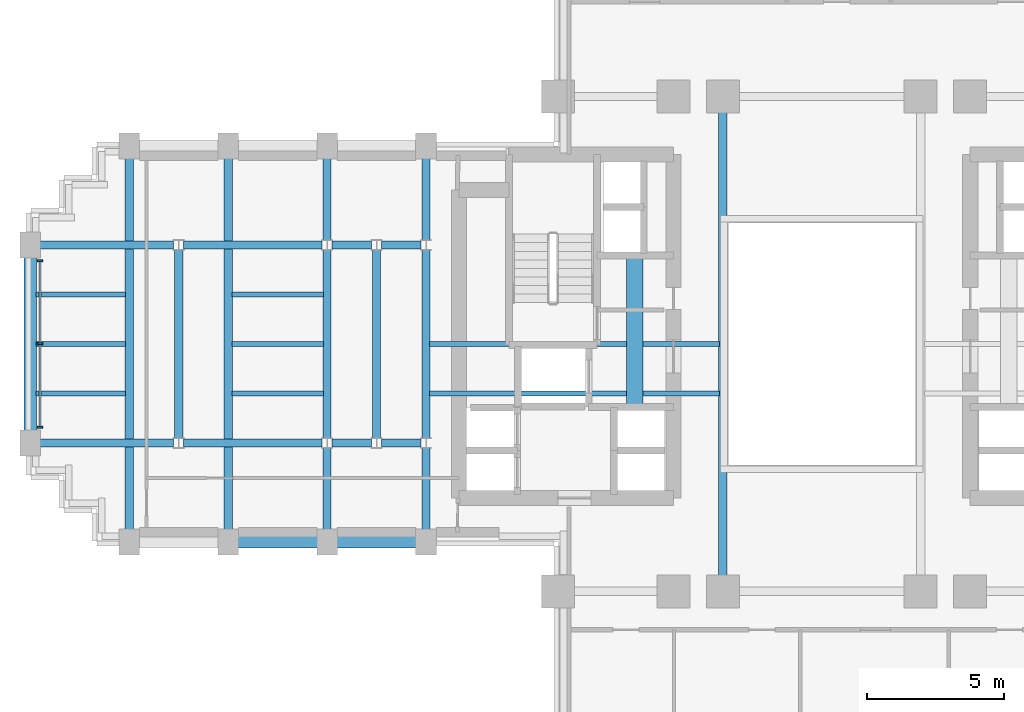
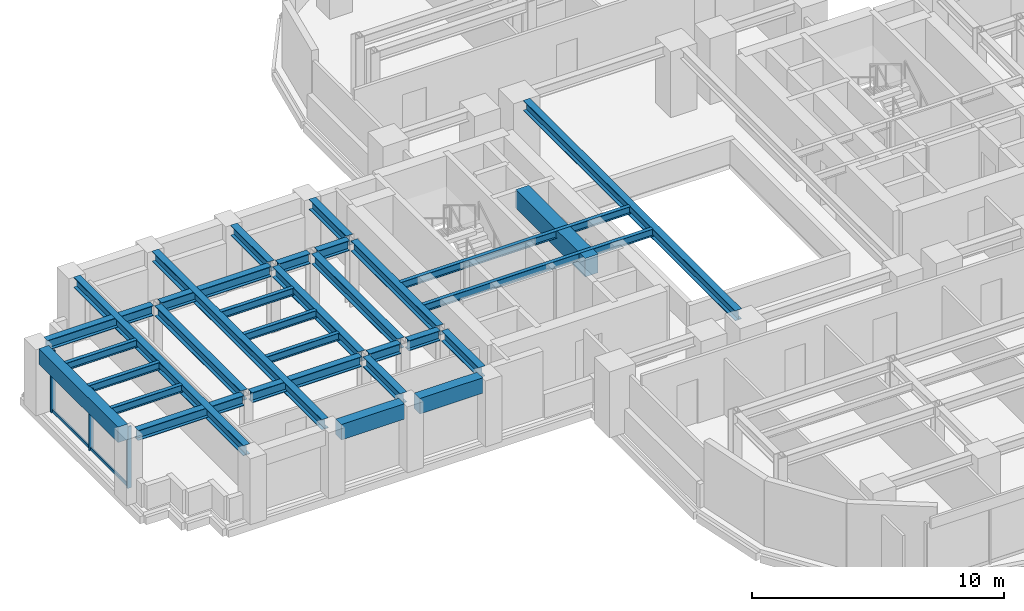
# One storey, part 4 of 16: 31 beams, 5 members, 1 element without a shape of its own.
"""IFC4 building model written with IfcOpenShell, lengths in metres."""

from ifc_helpers import new_model, si_unit, direction, frame, origin, origin_2d, place, context, subcontext, project, spatial, rectangle, i_section, extrude, source, transform, mapped, material, material_profile, profile_set, type_object, element, aggregate, save


model = new_model("IFC4")

# Units and contexts
model_context = context("Model", 3, precision=1e-05, world=origin(), true_north=direction((0.0, 1.0)))
body_context = subcontext(model_context, "Body", "Model", "MODEL_VIEW")
ifc_project = project(units=[si_unit("LENGTHUNIT", "METRE"), si_unit("AREAUNIT", "SQUARE_METRE"), si_unit("VOLUMEUNIT", "CUBIC_METRE"), si_unit("PLANEANGLEUNIT", "RADIAN"), si_unit("MASSUNIT", "GRAM", prefix="KILO")], contexts=[model_context])

# Site, building, storey
site_placement = place(None, origin())
site = spatial("IfcSite", under=ifc_project, at=site_placement, CompositionType="ELEMENT")
building_placement = place(site_placement, origin())
building = spatial("IfcBuilding", under=site, at=building_placement, Name="Keilestroom Media Tower", CompositionType="ELEMENT")
storey_placement = place(building_placement, frame((0.0, 0.0, 74.800048828125)))
storey = spatial("IfcBuildingStorey", under=building, at=storey_placement, Name="L19", CompositionType="ELEMENT", Elevation=74.800048828125)

# Beams
ifc_material_1 = material(Name="Concrete C70/85", Category="concrete")
ifc_material_profile_1 = material_profile(ifc_material_1, rectangle(XDim=0.60009765625, YDim=0.89990234375, at=origin_2d()), Name="RC 600x900")
ifc_profile_set_1 = profile_set([ifc_material_profile_1], Name="Concrete C70/85")
beam_type_1 = type_object("IfcBeamType", Name="Core-Coupling-Lintel-Beam-RC-600x900", PredefinedType="LINTEL", material=ifc_profile_set_1)
shared_shape_1 = source(origin(), body_context, "Body", "SweptSolid", [
    extrude(rectangle(XDim=0.60009765625, YDim=0.89990234375, at=origin_2d()), origin(), (0.0, 0.0, 1.0), 5.52001953125),
])
beam_1_placement = place(storey_placement, frame((-6.800048828125, -2.300048828125, 2.75), z_axis=(0.0, 1.0, 0.0), x_axis=(-1.0, 0.0, 0.0)))
element("IfcBeam", 1, at=beam_1_placement, inside=storey, type_object=beam_type_1, Name="L19 Beam CLB-1 CLB-L19-W", PredefinedType="LINTEL", context=body_context, shape_type="MappedRepresentation", body=[
    mapped(shared_shape_1, transform((0.0, 0.0, 0.0), x_axis=(1.0, 0.0, 0.0), y_axis=(0.0, 1.0, 0.0), z_axis=(0.0, 0.0, 1.0), scale=1.0)),
])
ifc_material_2 = material(Name="Precast concrete C40/50", Category="concrete")
ifc_material_profile_2 = material_profile(ifc_material_2, rectangle(XDim=0.449951171875, YDim=0.75, at=origin_2d()), Name="PC 450x750")
ifc_profile_set_2 = profile_set([ifc_material_profile_2], Name="Precast concrete C40/50")
beam_type_2 = type_object("IfcBeamType", Name="Perimeter-Spandrel-Beam-PC-450x750", PredefinedType="SPANDREL", material=ifc_profile_set_2)
shared_shape_2 = source(origin(), body_context, "Body", "SweptSolid", [
    extrude(rectangle(XDim=0.449951171875, YDim=0.75, at=origin_2d()), origin(), (0.0, 0.0, 1.0), 6.2900390625),
])
beam_2_placement = place(storey_placement, frame((-28.800048828125, -3.14501953125, 2.824951171875), z_axis=(0.0, 1.0, 0.0), x_axis=(-1.0, 0.0, 0.0)))
element("IfcBeam", 2, at=beam_2_placement, inside=storey, type_object=beam_type_2, Name="L19 Beam SPB-1 BM-L19-NS-051", PredefinedType="SPANDREL", context=body_context, shape_type="MappedRepresentation", body=[
    mapped(shared_shape_2, transform((0.0, 0.0, 0.0), x_axis=(1.0, 0.0, 0.0), y_axis=(0.0, 1.0, 0.0), z_axis=(0.0, 0.0, 1.0), scale=1.0)),
])
shared_shape_3 = source(origin(), body_context, "Body", "SweptSolid", [
    extrude(rectangle(XDim=0.449951171875, YDim=0.75, at=origin_2d()), origin(), (0.0, 0.0, 1.0), 2.89013671875),
])
for number, where, z_axis, x_axis, name in (
    (3, (-21.2451171875, -7.199951171875, 2.824951171875), (1.0, 0.0, 0.0), (0.0, 1.0, 0.0), "L19 Beam SPB-1 BM-L19-EW-013"),
    (4, (-17.64501953125, -7.199951171875, 2.824951171875), (1.0, 0.0, 0.0), (0.0, 1.0, 0.0), "L19 Beam SPB-1 BM-L19-EW-014"),
):
    element("IfcBeam", number, at=place(storey_placement, frame(where, z_axis=z_axis, x_axis=x_axis)), inside=storey, type_object=beam_type_2, Name=name, PredefinedType="SPANDREL", context=body_context, shape_type="MappedRepresentation", body=[
        mapped(shared_shape_3, transform((0.0, 0.0, 0.0), x_axis=(1.0, 0.0, 0.0), y_axis=(0.0, 1.0, 0.0), z_axis=(0.0, 0.0, 1.0), scale=1.0)),
    ])
ifc_material_3 = material(Name="Steel S355", Category="steel")
ifc_material_profile_3 = material_profile(ifc_material_3, i_section(OverallWidth=0.300048828125, OverallDepth=0.5, WebThickness=0.012451171875, FlangeThickness=0.028076171875, at=origin_2d()), Name="HEB 500")
ifc_profile_set_3 = profile_set([ifc_material_profile_3], Name="Steel S355")
beam_type_3 = type_object("IfcBeamType", Name="Primary-Structural-Girder-HEB-500", PredefinedType="BEAM", material=ifc_profile_set_3)
shared_shape_4 = source(origin(), body_context, "Body", "SweptSolid", [
    extrude(i_section(OverallWidth=0.300048828125, OverallDepth=0.5, WebThickness=0.012451171875, FlangeThickness=0.028076171875, at=origin_2d()), origin(), (0.0, 0.0, 1.0), 13.490234375),
])
for number, where, z_axis, x_axis, name in (
    (5, (-25.199951171875, -6.7451171875, 2.949951171875), (0.0, 1.0, 0.0), (-1.0, 0.0, 0.0), "L19 Beam BG-6 BM-L19-NS-052"),
    (6, (-21.60009765625, -6.7451171875, 2.949951171875), (0.0, 1.0, 0.0), (-1.0, 0.0, 0.0), "L19 Beam BG-6 BM-L19-NS-054"),
):
    element("IfcBeam", number, at=place(storey_placement, frame(where, z_axis=z_axis, x_axis=x_axis)), inside=storey, type_object=beam_type_3, Name=name, PredefinedType="BEAM", context=body_context, shape_type="MappedRepresentation", body=[
        mapped(shared_shape_4, transform((0.0, 0.0, 0.0), x_axis=(1.0, 0.0, 0.0), y_axis=(0.0, 1.0, 0.0), z_axis=(0.0, 0.0, 1.0), scale=1.0)),
    ])
shared_shape_5 = source(origin(), body_context, "Body", "SweptSolid", [
    extrude(i_section(OverallWidth=0.300048828125, OverallDepth=0.5, WebThickness=0.012451171875, FlangeThickness=0.028076171875, at=origin_2d()), origin(), (0.0, 0.0, 1.0), 6.8330078125),
])
for number, where, z_axis, x_axis, name in (
    (7, (-23.39990234375, -3.41650390625, 2.949951171875), (0.0, 1.0, 0.0), (-1.0, 0.0, 0.0), "L19 Beam BG-6 BM-L19-NS-053"),
    (8, (-18.0, -3.41650390625, 2.949951171875), (0.0, 1.0, 0.0), (-1.0, 0.0, 0.0), "L19 Beam BG-6 BM-L19-NS-056"),
    (9, (-16.199951171875, -3.41650390625, 2.949951171875), (0.0, 1.0, 0.0), (-1.0, 0.0, 0.0), "L19 Beam BG-6 BM-L19-NS-058"),
    (10, (-14.39990234375, -3.41650390625, 2.949951171875), (0.0, 1.0, 0.0), (-1.0, 0.0, 0.0), "L19 Beam BG-6 BM-L19-NS-060"),
):
    element("IfcBeam", number, at=place(storey_placement, frame(where, z_axis=z_axis, x_axis=x_axis)), inside=storey, type_object=beam_type_3, Name=name, PredefinedType="BEAM", context=body_context, shape_type="MappedRepresentation", body=[
        mapped(shared_shape_5, transform((0.0, 0.0, 0.0), x_axis=(1.0, 0.0, 0.0), y_axis=(0.0, 1.0, 0.0), z_axis=(0.0, 0.0, 1.0), scale=1.0)),
    ])
shared_shape_6 = source(origin(), body_context, "Body", "SweptSolid", [
    extrude(i_section(OverallWidth=0.300048828125, OverallDepth=0.5, WebThickness=0.012451171875, FlangeThickness=0.028076171875, at=origin_2d()), origin(), (0.0, 0.0, 1.0), 2.961669921875),
])
for number, where, z_axis, x_axis, name in (
    (11, (-18.0, -6.7451171875, 2.949951171875), (0.0, 1.0, 0.0), (-1.0, 0.0, 0.0), "L19 Beam BG-6 BM-L19-NS-055"),
    (12, (-18.0, 3.783447265625, 2.949951171875), (0.0, 1.0, 0.0), (-1.0, 0.0, 0.0), "L19 Beam BG-6 BM-L19-NS-057"),
    (13, (-14.39990234375, -6.7451171875, 2.949951171875), (0.0, 1.0, 0.0), (-1.0, 0.0, 0.0), "L19 Beam BG-6 BM-L19-NS-059"),
    (14, (-14.39990234375, 3.783447265625, 2.949951171875), (0.0, 1.0, 0.0), (-1.0, 0.0, 0.0), "L19 Beam BG-6 BM-L19-NS-061"),
):
    element("IfcBeam", number, at=place(storey_placement, frame(where, z_axis=z_axis, x_axis=x_axis)), inside=storey, type_object=beam_type_3, Name=name, PredefinedType="BEAM", context=body_context, shape_type="MappedRepresentation", body=[
        mapped(shared_shape_6, transform((0.0, 0.0, 0.0), x_axis=(1.0, 0.0, 0.0), y_axis=(0.0, 1.0, 0.0), z_axis=(0.0, 0.0, 1.0), scale=1.0)),
    ])
shared_shape_7 = source(origin(), body_context, "Body", "SweptSolid", [
    extrude(i_section(OverallWidth=0.300048828125, OverallDepth=0.5, WebThickness=0.012451171875, FlangeThickness=0.028076171875, at=origin_2d()), origin(), (0.0, 0.0, 1.0), 16.83984375),
])
beam_3_placement = place(storey_placement, frame((-3.60009765625, -8.419921875, 2.949951171875), z_axis=(0.0, 1.0, 0.0), x_axis=(-1.0, 0.0, 0.0)))
element("IfcBeam", 15, at=beam_3_placement, inside=storey, type_object=beam_type_3, Name="L19 Beam BG-6 BM-L19-NS-066", PredefinedType="BEAM", context=body_context, shape_type="MappedRepresentation", body=[
    mapped(shared_shape_7, transform((0.0, 0.0, 0.0), x_axis=(1.0, 0.0, 0.0), y_axis=(0.0, 1.0, 0.0), z_axis=(0.0, 0.0, 1.0), scale=1.0)),
])
ifc_material_profile_4 = material_profile(ifc_material_3, i_section(OverallWidth=0.300048828125, OverallDepth=0.489990234375, WebThickness=0.011962890625, FlangeThickness=0.02294921875, at=origin_2d()), Name="HEA 500")
ifc_profile_set_4 = profile_set([ifc_material_profile_4], Name="Steel S355")
beam_type_4 = type_object("IfcBeamType", Name="Primary-Structural-Girder-HEA-500", PredefinedType="BEAM", material=ifc_profile_set_4)
shared_shape_8 = source(origin(), body_context, "Body", "SweptSolid", [
    extrude(i_section(OverallWidth=0.300048828125, OverallDepth=0.489990234375, WebThickness=0.011962890625, FlangeThickness=0.02294921875, at=origin_2d()), origin(), (0.0, 0.0, 1.0), 4.863037109375),
])
for number, where, z_axis, x_axis, name in (
    (16, (-28.445068359375, -3.60009765625, 2.954833984375), (1.0, 0.0, 0.0), (0.0, 1.0, 0.0), "L19 Beam BG-10 BM-L19-EW-018"),
    (17, (-28.445068359375, 3.60009765625, 2.954833984375), (1.0, 0.0, 0.0), (0.0, 1.0, 0.0), "L19 Beam BG-10 BM-L19-EW-026"),
):
    element("IfcBeam", number, at=place(storey_placement, frame(where, z_axis=z_axis, x_axis=x_axis)), inside=storey, type_object=beam_type_4, Name=name, PredefinedType="BEAM", context=body_context, shape_type="MappedRepresentation", body=[
        mapped(shared_shape_8, transform((0.0, 0.0, 0.0), x_axis=(1.0, 0.0, 0.0), y_axis=(0.0, 1.0, 0.0), z_axis=(0.0, 0.0, 1.0), scale=1.0)),
    ])
shared_shape_9 = source(origin(), body_context, "Body", "SweptSolid", [
    extrude(i_section(OverallWidth=0.300048828125, OverallDepth=0.489990234375, WebThickness=0.011962890625, FlangeThickness=0.02294921875, at=origin_2d()), origin(), (0.0, 0.0, 1.0), 5.0361328125),
])
for number, where, z_axis, x_axis, name in (
    (18, (-23.218017578125, -3.60009765625, 2.954833984375), (1.0, 0.0, 0.0), (0.0, 1.0, 0.0), "L19 Beam BG-10 BM-L19-EW-019"),
    (19, (-23.218017578125, 3.60009765625, 2.954833984375), (1.0, 0.0, 0.0), (0.0, 1.0, 0.0), "L19 Beam BG-10 BM-L19-EW-027"),
):
    element("IfcBeam", number, at=place(storey_placement, frame(where, z_axis=z_axis, x_axis=x_axis)), inside=storey, type_object=beam_type_4, Name=name, PredefinedType="BEAM", context=body_context, shape_type="MappedRepresentation", body=[
        mapped(shared_shape_9, transform((0.0, 0.0, 0.0), x_axis=(1.0, 0.0, 0.0), y_axis=(0.0, 1.0, 0.0), z_axis=(0.0, 0.0, 1.0), scale=1.0)),
    ])
shared_shape_10 = source(origin(), body_context, "Body", "SweptSolid", [
    extrude(i_section(OverallWidth=0.300048828125, OverallDepth=0.489990234375, WebThickness=0.011962890625, FlangeThickness=0.02294921875, at=origin_2d()), origin(), (0.0, 0.0, 1.0), 1.43603515625),
])
for number, where, z_axis, x_axis, name in (
    (20, (-17.818115234375, -3.60009765625, 2.954833984375), (1.0, 0.0, 0.0), (0.0, 1.0, 0.0), "L19 Beam BG-10 BM-L19-EW-020"),
    (21, (-16.01806640625, -3.60009765625, 2.954833984375), (1.0, 0.0, 0.0), (0.0, 1.0, 0.0), "L19 Beam BG-10 BM-L19-EW-021"),
    (22, (-17.818115234375, 3.60009765625, 2.954833984375), (1.0, 0.0, 0.0), (0.0, 1.0, 0.0), "L19 Beam BG-10 BM-L19-EW-028"),
    (23, (-16.01806640625, 3.60009765625, 2.954833984375), (1.0, 0.0, 0.0), (0.0, 1.0, 0.0), "L19 Beam BG-10 BM-L19-EW-029"),
):
    element("IfcBeam", number, at=place(storey_placement, frame(where, z_axis=z_axis, x_axis=x_axis)), inside=storey, type_object=beam_type_4, Name=name, PredefinedType="BEAM", context=body_context, shape_type="MappedRepresentation", body=[
        mapped(shared_shape_10, transform((0.0, 0.0, 0.0), x_axis=(1.0, 0.0, 0.0), y_axis=(0.0, 1.0, 0.0), z_axis=(0.0, 0.0, 1.0), scale=1.0)),
    ])
ifc_material_profile_5 = material_profile(ifc_material_3, i_section(OverallWidth=0.169921875, OverallDepth=0.360107421875, WebThickness=0.008056640625, FlangeThickness=0.0126953125, at=origin_2d()), Name="IPE 360")
ifc_profile_set_5 = profile_set([ifc_material_profile_5], Name="Steel S355")
beam_type_5 = type_object("IfcBeamType", Name="Secondary-Floor-Joist-IPE-360", PredefinedType="JOIST", material=ifc_profile_set_5)
shared_shape_11 = source(origin(), body_context, "Body", "SweptSolid", [
    extrude(i_section(OverallWidth=0.169921875, OverallDepth=0.360107421875, WebThickness=0.008056640625, FlangeThickness=0.0126953125, at=origin_2d()), origin(), (0.0, 0.0, 1.0), 3.264892578125),
])
for number, where, z_axis, x_axis, name in (
    (24, (-28.594970703125, -1.800048828125, 3.02001953125), (1.0, 0.0, 0.0), (0.0, 1.0, 0.0), "L19 Beam BJ-5 JST-L19-089"),
    (25, (-28.594970703125, 0.0, 3.02001953125), (1.0, 0.0, 0.0), (0.0, 1.0, 0.0), "L19 Beam BJ-5 JST-L19-096"),
    (26, (-28.594970703125, 1.800048828125, 3.02001953125), (1.0, 0.0, 0.0), (0.0, 1.0, 0.0), "L19 Beam BJ-5 JST-L19-103"),
):
    element("IfcBeam", number, at=place(storey_placement, frame(where, z_axis=z_axis, x_axis=x_axis)), inside=storey, type_object=beam_type_5, Name=name, PredefinedType="JOIST", context=body_context, shape_type="MappedRepresentation", body=[
        mapped(shared_shape_11, transform((0.0, 0.0, 0.0), x_axis=(1.0, 0.0, 0.0), y_axis=(0.0, 1.0, 0.0), z_axis=(0.0, 0.0, 1.0), scale=1.0)),
    ])
shared_shape_12 = source(origin(), body_context, "Body", "SweptSolid", [
    extrude(i_section(OverallWidth=0.169921875, OverallDepth=0.360107421875, WebThickness=0.008056640625, FlangeThickness=0.0126953125, at=origin_2d()), origin(), (0.0, 0.0, 1.0), 3.340087890625),
])
for number, where, z_axis, x_axis, name in (
    (27, (-21.469970703125, -1.800048828125, 3.02001953125), (1.0, 0.0, 0.0), (0.0, 1.0, 0.0), "L19 Beam BJ-5 JST-L19-090"),
    (28, (-21.469970703125, 0.0, 3.02001953125), (1.0, 0.0, 0.0), (0.0, 1.0, 0.0), "L19 Beam BJ-5 JST-L19-097"),
    (29, (-21.469970703125, 1.800048828125, 3.02001953125), (1.0, 0.0, 0.0), (0.0, 1.0, 0.0), "L19 Beam BJ-5 JST-L19-104"),
):
    element("IfcBeam", number, at=place(storey_placement, frame(where, z_axis=z_axis, x_axis=x_axis)), inside=storey, type_object=beam_type_5, Name=name, PredefinedType="JOIST", context=body_context, shape_type="MappedRepresentation", body=[
        mapped(shared_shape_12, transform((0.0, 0.0, 0.0), x_axis=(1.0, 0.0, 0.0), y_axis=(0.0, 1.0, 0.0), z_axis=(0.0, 0.0, 1.0), scale=1.0)),
    ])
shared_shape_13 = source(origin(), body_context, "Body", "SweptSolid", [
    extrude(i_section(OverallWidth=0.169921875, OverallDepth=0.360107421875, WebThickness=0.008056640625, FlangeThickness=0.0126953125, at=origin_2d()), origin(), (0.0, 0.0, 1.0), 10.5400390625),
])
for number, where, z_axis, x_axis, name in (
    (30, (-14.27001953125, -1.800048828125, 3.02001953125), (1.0, 0.0, 0.0), (0.0, 1.0, 0.0), "L19 Beam BJ-5 JST-L19-091"),
    (31, (-14.27001953125, 0.0, 3.02001953125), (1.0, 0.0, 0.0), (0.0, 1.0, 0.0), "L19 Beam BJ-5 JST-L19-098"),
):
    element("IfcBeam", number, at=place(storey_placement, frame(where, z_axis=z_axis, x_axis=x_axis)), inside=storey, type_object=beam_type_5, Name=name, PredefinedType="JOIST", context=body_context, shape_type="MappedRepresentation", body=[
        mapped(shared_shape_13, transform((0.0, 0.0, 0.0), x_axis=(1.0, 0.0, 0.0), y_axis=(0.0, 1.0, 0.0), z_axis=(0.0, 0.0, 1.0), scale=1.0)),
    ])

# Curtain wall, members
ifc_material_4 = material(Name="Anodised Aluminium Alloy", Category="aluminium")
curtain_wall_type = type_object("IfcCurtainWallType", Name="Unitised-Curtain-Wall-CW-1", PredefinedType="NOTDEFINED", material=ifc_material_4)
curtain_wall_placement = place(storey_placement, origin())
curtain_wall = element("IfcCurtainWall", 32, at=curtain_wall_placement, inside=storey, type_object=curtain_wall_type, Name="L19 Curtain Wall CW-1 CW-L19-W-1", PredefinedType="NOTDEFINED")
ifc_material_profile_6 = material_profile(ifc_material_4, rectangle(XDim=0.070068359375, YDim=0.199951171875, at=origin_2d()), Name="ALU MULLION 70x200")
ifc_profile_set_6 = profile_set([ifc_material_profile_6], Name="Anodised Aluminium Alloy")
member_type_1 = type_object("IfcMemberType", Name="Curtain-Wall-Mullion-CW-1", PredefinedType="MULLION", material=ifc_profile_set_6)
shared_shape_14 = source(origin(), body_context, "Body", "SweptSolid", [
    extrude(rectangle(XDim=0.070068359375, YDim=0.199951171875, at=origin_2d()), origin(), (0.0, 0.0, 1.0), 2.97998046875),
])
member_1_placement = place(storey_placement, frame((-28.449951171875, -3.030029296875, 0.0), z_axis=(0.0, 0.0, 1.0), x_axis=(0.0, 1.0, 0.0)))
member_1 = element("IfcMember", 33, at=member_1_placement, type_object=member_type_1, Name="CW-1 Mullion 00", PredefinedType="MULLION", context=body_context, shape_type="MappedRepresentation", body=[
    mapped(shared_shape_14, transform((0.0, 0.0, 0.0), x_axis=(1.0, 0.0, 0.0), y_axis=(0.0, 1.0, 0.0), z_axis=(0.0, 0.0, 1.0), scale=1.0)),
])
member_2_placement = place(storey_placement, frame((-28.449951171875, 0.0, 0.0), z_axis=(0.0, 0.0, 1.0), x_axis=(0.0, 1.0, 0.0)))
member_2 = element("IfcMember", 34, at=member_2_placement, type_object=member_type_1, Name="CW-1 Mullion 01", PredefinedType="MULLION", context=body_context, shape_type="MappedRepresentation", body=[
    mapped(shared_shape_14, transform((0.0, 0.0, 0.0), x_axis=(1.0, 0.0, 0.0), y_axis=(0.0, 1.0, 0.0), z_axis=(0.0, 0.0, 1.0), scale=1.0)),
])
member_3_placement = place(storey_placement, frame((-28.449951171875, 3.030029296875, 0.0), z_axis=(0.0, 0.0, 1.0), x_axis=(0.0, 1.0, 0.0)))
member_3 = element("IfcMember", 35, at=member_3_placement, type_object=member_type_1, Name="CW-1 Mullion 02", PredefinedType="MULLION", context=body_context, shape_type="MappedRepresentation", body=[
    mapped(shared_shape_14, transform((0.0, 0.0, 0.0), x_axis=(1.0, 0.0, 0.0), y_axis=(0.0, 1.0, 0.0), z_axis=(0.0, 0.0, 1.0), scale=1.0)),
])
ifc_material_profile_7 = material_profile(ifc_material_4, rectangle(XDim=0.06494140625, YDim=0.14990234375, at=origin_2d()), Name="ALU TRANSOM 65x150")
ifc_profile_set_7 = profile_set([ifc_material_profile_7], Name="Anodised Aluminium Alloy")
member_type_2 = type_object("IfcMemberType", Name="Curtain-Wall-Transom-CW-1", PredefinedType="USERDEFINED", material=ifc_profile_set_7)
shared_shape_15 = source(origin(), body_context, "Body", "SweptSolid", [
    extrude(rectangle(XDim=0.06494140625, YDim=0.14990234375, at=origin_2d()), origin(), (0.0, 0.0, 1.0), 2.964111328125),
])
member_4_placement = place(storey_placement, frame((-28.449951171875, -2.9970703125, 0.074951171875), z_axis=(0.0, 1.0, 0.0), x_axis=(-1.0, 0.0, 0.0)))
member_4 = element("IfcMember", 36, at=member_4_placement, type_object=member_type_2, Name="CW-1 Transom 00.1", ObjectType="TRANSOM", PredefinedType="USERDEFINED", context=body_context, shape_type="MappedRepresentation", body=[
    mapped(shared_shape_15, transform((0.0, 0.0, 0.0), x_axis=(1.0, 0.0, 0.0), y_axis=(0.0, 1.0, 0.0), z_axis=(0.0, 0.0, 1.0), scale=1.0)),
])
member_5_placement = place(storey_placement, frame((-28.449951171875, 0.032958984375, 0.074951171875), z_axis=(0.0, 1.0, 0.0), x_axis=(-1.0, 0.0, 0.0)))
member_5 = element("IfcMember", 37, at=member_5_placement, type_object=member_type_2, Name="CW-1 Transom 01.1", ObjectType="TRANSOM", PredefinedType="USERDEFINED", context=body_context, shape_type="MappedRepresentation", body=[
    mapped(shared_shape_15, transform((0.0, 0.0, 0.0), x_axis=(1.0, 0.0, 0.0), y_axis=(0.0, 1.0, 0.0), z_axis=(0.0, 0.0, 1.0), scale=1.0)),
])
aggregate(curtain_wall, [member_1, member_2, member_3, member_4, member_5])

save(model, "model.ifc")
